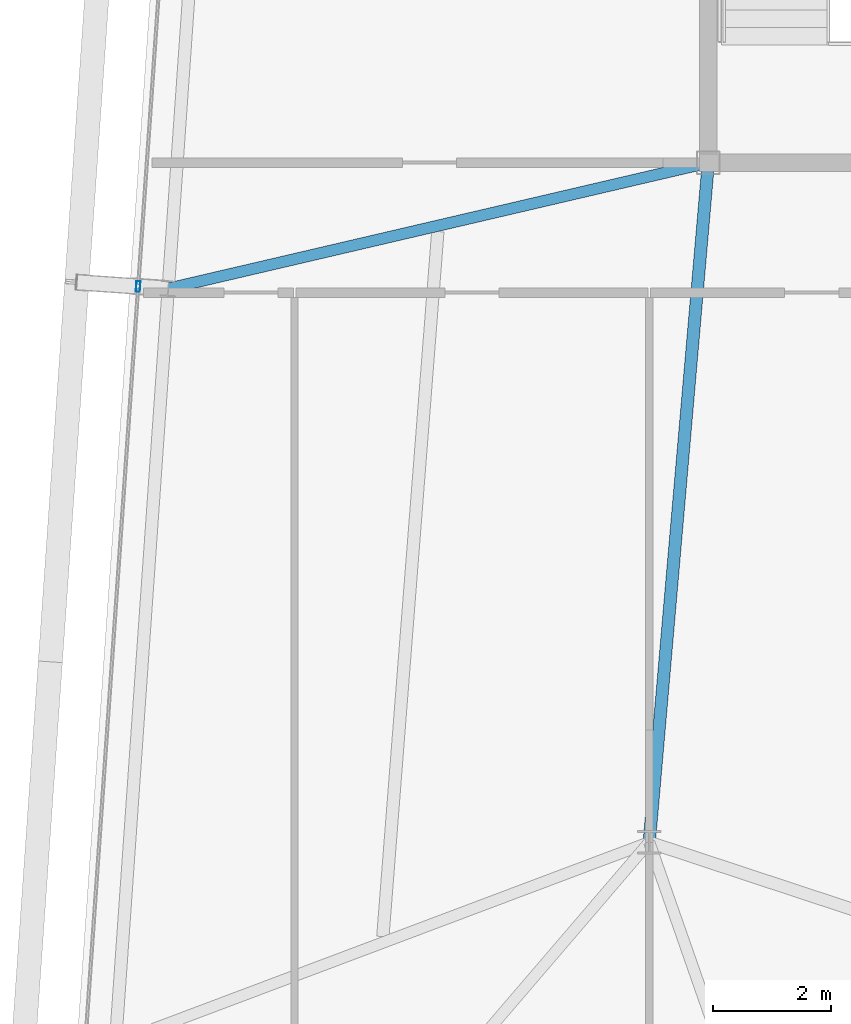
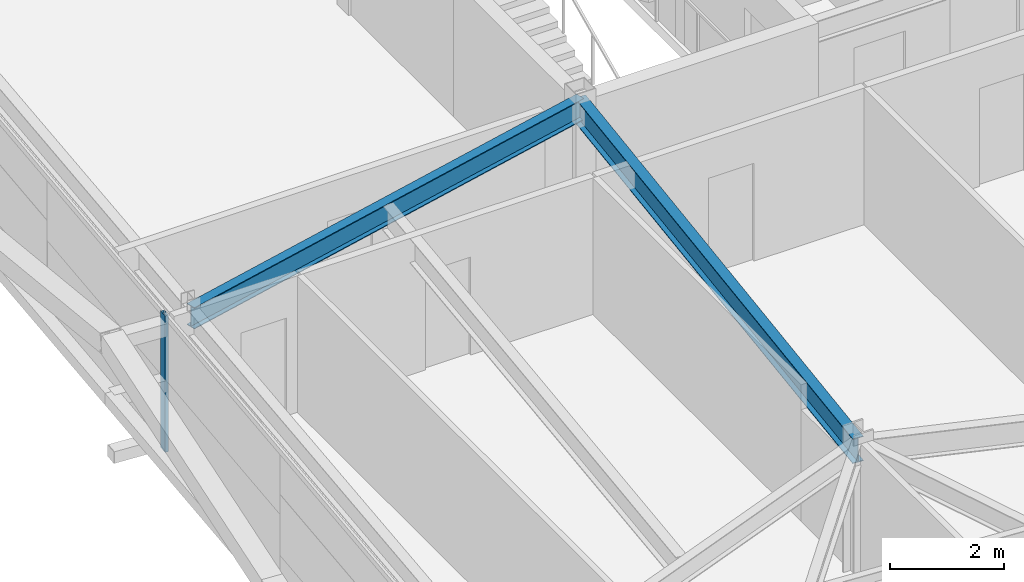
# One storey, part 11 of 39: 2 beams, 1 member, 1 element without a shape of its own.
"""IFC4 building model written with IfcOpenShell, lengths in metres."""

from ifc_helpers import new_model, si_unit, direction, frame, origin, origin_2d, place, context, subcontext, project, spatial, hollow_rectangle, i_section, extrude, source, transform, mapped, material, layer, layer_set, material_profile, profile_set, type_object, element, aggregate, save


model = new_model("IFC4")

# Units and contexts
model_context = context("Model", 3, precision=1e-05, world=origin(), true_north=direction((0.0, 1.0)))
body_context = subcontext(model_context, "Body", "Model", "MODEL_VIEW")
ifc_project = project(units=[si_unit("LENGTHUNIT", "METRE"), si_unit("AREAUNIT", "SQUARE_METRE"), si_unit("VOLUMEUNIT", "CUBIC_METRE"), si_unit("PLANEANGLEUNIT", "RADIAN"), si_unit("MASSUNIT", "GRAM", prefix="KILO")], contexts=[model_context])

# Site, building, storey
site_placement = place(None, origin())
site = spatial("IfcSite", under=ifc_project, at=site_placement, CompositionType="ELEMENT")
building_placement = place(site_placement, origin())
building = spatial("IfcBuilding", under=site, at=building_placement, Name="Taldren Reach Tower", CompositionType="ELEMENT")
storey_placement = place(building_placement, frame((0.0, 0.0, 120.39990234375)))
storey = spatial("IfcBuildingStorey", under=building, at=storey_placement, Name="L36", CompositionType="ELEMENT", Elevation=120.39990234375)

# Beams
ifc_material_1 = material(Name="Steel Gr 350 (350PLUS)", Category="steel")
ifc_material_profile_1 = material_profile(ifc_material_1, i_section(OverallWidth=0.208984375, OverallDepth=0.532958984375, WebThickness=0.01025390625, FlangeThickness=0.015625, at=origin_2d()), Name="530UB92.4")
ifc_profile_set_1 = profile_set([ifc_material_profile_1], Name="Steel Gr 350 (350PLUS)")
beam_type_1 = type_object("IfcBeamType", Name="BM-UB530A", PredefinedType="BEAM", material=ifc_profile_set_1)
shared_shape_1 = source(origin(), body_context, "Body", "SweptSolid", [
    extrude(i_section(OverallWidth=0.208984375, OverallDepth=0.532958984375, WebThickness=0.01025390625, FlangeThickness=0.015625, at=origin_2d()), origin(), (0.0, 0.0, 1.0), 11.54345703125),
])
beam_1_placement = place(storey_placement, frame((19.0, 24.0, 2.66357421875), z_axis=(-0.086629616365, -0.996240588196, 0.0), x_axis=(0.996240588196, -0.086629616365, 0.0)))
element("IfcBeam", 1, at=beam_1_placement, inside=storey, type_object=beam_type_1, Name="Core-spine girder L36-SP09", PredefinedType="BEAM", context=body_context, shape_type="MappedRepresentation", body=[
    mapped(shared_shape_1, transform((0.0, 0.0, 0.0), scale=1.0)),
])
ifc_material_profile_2 = material_profile(ifc_material_1, i_section(OverallWidth=0.19091796875, OverallDepth=0.4599609375, WebThickness=0.010009765625, FlangeThickness=0.01611328125, at=origin_2d()), Name="460UB82.1")
ifc_profile_set_2 = profile_set([ifc_material_profile_2], Name="Steel Gr 350 (350PLUS)")
beam_type_2 = type_object("IfcBeamType", Name="BM-UB460A", PredefinedType="BEAM", material=ifc_profile_set_2)
shared_shape_2 = source(origin(), body_context, "Body", "SweptSolid", [
    extrude(i_section(OverallWidth=0.19091796875, OverallDepth=0.4599609375, WebThickness=0.010009765625, FlangeThickness=0.01611328125, at=origin_2d()), origin(), (0.0, 0.0, 1.0), 9.383544921875),
])
beam_2_placement = place(storey_placement, frame((19.0, 24.0, 2.7001953125), z_axis=(-0.973856560651, -0.227163815951, 0.0), x_axis=(0.227163815951, -0.973856560651, 0.0)))
element("IfcBeam", 2, at=beam_2_placement, inside=storey, type_object=beam_type_2, Name="Primary floor girder B3-W2 L36", PredefinedType="BEAM", context=body_context, shape_type="MappedRepresentation", body=[
    mapped(shared_shape_2, transform((0.0, 0.0, 0.0), scale=1.0)),
])

# Curtain wall, member
ifc_material_2 = material(Name="Aluminium and Low-E Glass Unitised System", Category="aluminium")
ifc_layer = layer(ifc_material_2, 0.159912109375)
ifc_layer_set = layer_set([ifc_layer], Name="Aluminium and Low-E Glass Unitised System")
curtain_wall_type = type_object("IfcCurtainWallType", Name="CW-SYS-4", PredefinedType="NOTDEFINED", material=ifc_layer_set)
curtain_wall_placement = place(storey_placement, origin())
curtain_wall = element("IfcCurtainWall", 3, at=curtain_wall_placement, inside=storey, type_object=curtain_wall_type, Name="Unitised curtain wall CW-L36-W", PredefinedType="NOTDEFINED")
ifc_material_3 = material(Name="Anodised Aluminium 6063-T6", Category="aluminium")
ifc_material_profile_3 = material_profile(ifc_material_3, hollow_rectangle(XDim=0.070068359375, YDim=0.179931640625, WallThickness=0.00390625, at=origin_2d()), Name="ALU-180x70x4RHS")
ifc_profile_set_3 = profile_set([ifc_material_profile_3], Name="Anodised Aluminium 6063-T6")
member_type = type_object("IfcMemberType", Name="CW-MUL-180", PredefinedType="MULLION", material=ifc_profile_set_3)
shared_shape_3 = source(origin(), body_context, "Body", "SweptSolid", [
    extrude(hollow_rectangle(XDim=0.070068359375, YDim=0.179931640625, WallThickness=0.00390625, at=origin_2d()), origin(), (0.0, 0.0, 1.0), 2.93017578125),
])
member_placement = place(storey_placement, frame((9.35302734375, 21.90380859375, 0.0), z_axis=(0.0, 0.0, 1.0), x_axis=(0.997564052812, -0.069756437251, 0.0)))
member = element("IfcMember", 4, at=member_placement, type_object=member_type, Name="CW-4 mullion 2", PredefinedType="MULLION", context=body_context, shape_type="MappedRepresentation", body=[
    mapped(shared_shape_3, transform((0.0, 0.0, 0.0), scale=1.0)),
])
aggregate(curtain_wall, [member])

save(model, "model.ifc")
